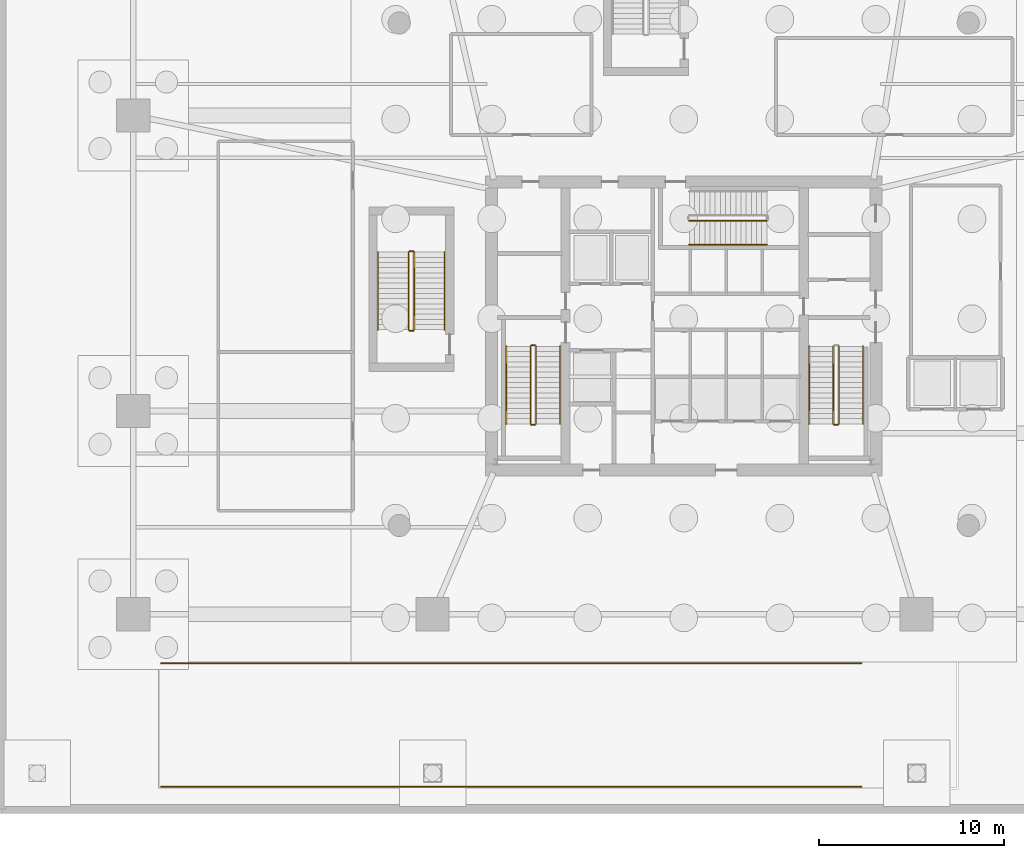
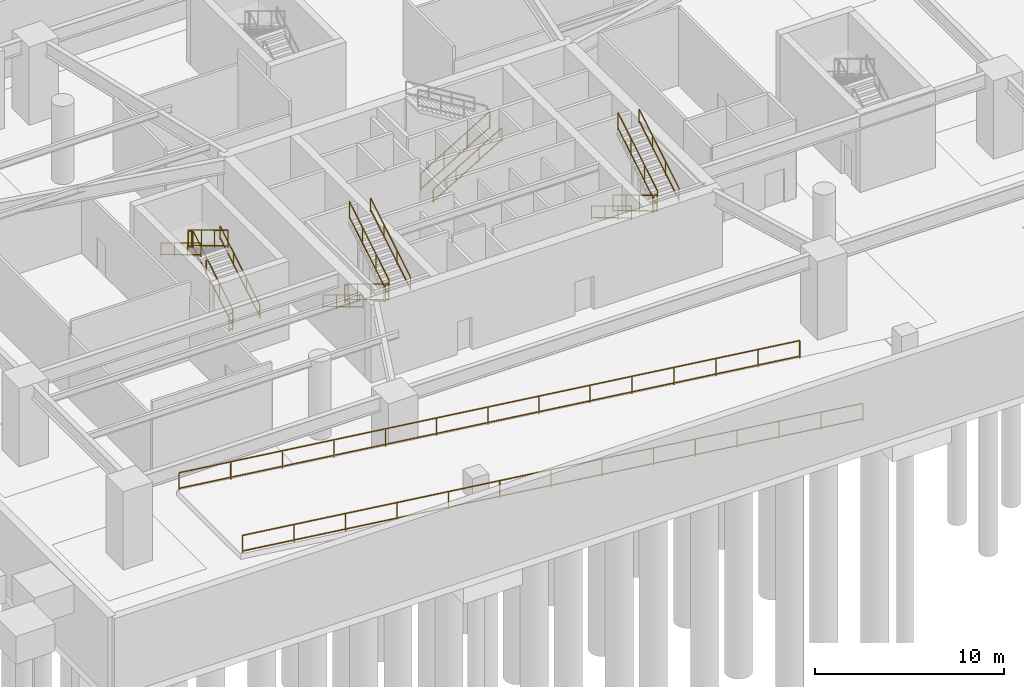
# One storey, part 9 of 11: 21 railings.
"""IFC4 building model written with IfcOpenShell, lengths in metres."""

from ifc_helpers import new_model, si_unit, direction, frame, origin, origin_2d, place, context, subcontext, project, spatial, rectangle, extrude, material, type_object, element, save


model = new_model("IFC4")

# Units and contexts
model_context = context("Model", 3, precision=1e-05, world=origin(), true_north=direction((0.0, 1.0)))
body_context = subcontext(model_context, "Body", "Model", "MODEL_VIEW")
ifc_project = project(units=[si_unit("LENGTHUNIT", "METRE"), si_unit("AREAUNIT", "SQUARE_METRE"), si_unit("VOLUMEUNIT", "CUBIC_METRE"), si_unit("PLANEANGLEUNIT", "RADIAN"), si_unit("MASSUNIT", "GRAM", prefix="KILO")], contexts=[model_context])

# Site, building, storey
site_placement = place(None, origin())
site = spatial("IfcSite", under=ifc_project, at=site_placement, CompositionType="ELEMENT")
building_placement = place(site_placement, origin())
building = spatial("IfcBuilding", under=site, at=building_placement, Name="Qarnah Convention Tower", CompositionType="ELEMENT")
storey_placement = place(building_placement, frame((0.0, 0.0, -5.39990234375)))
storey = spatial("IfcBuildingStorey", under=building, at=storey_placement, Name="B1", CompositionType="ELEMENT", Elevation=-5.39990234375)

# Railings
ifc_material_1 = material(Name="Black anodised aluminium", Category="aluminium")
railing_type_1 = type_object("IfcRailingType", Name="RL-EXT-GUARD-1150", PredefinedType="GUARDRAIL", material=ifc_material_1)
railing_1_placement = place(storey_placement, frame((8.89990234375, 1.4599609375, 5.387939453125)))
element("IfcRailing", 1, at=railing_1_placement, inside=storey, type_object=railing_type_1, Name="B1 vehicle ramp safety guard S", PredefinedType="GUARDRAIL", context=body_context, shape_type="SweptSolid", body=[
    extrude(rectangle(XDim=0.048095703125, YDim=0.048095703125, at=origin_2d()), frame((0.0, 0.0, 1.1259765625), z_axis=(0.9922690005, 0.0, -0.124105723663), x_axis=(0.0, 1.0, 0.0)), (0.0, 0.0, 1.0), 12.6982421875),
    extrude(rectangle(XDim=0.048095703125, YDim=0.048095703125, at=origin_2d()), frame((0.0, 0.0, 0.1201171875), z_axis=(0.9922690005, 0.0, -0.124105723663), x_axis=(0.0, 1.0, 0.0)), (0.0, 0.0, 1.0), 12.6982421875),
    extrude(rectangle(XDim=0.048095703125, YDim=0.048095703125, at=origin_2d()), frame((12.60009765625, 0.0, -0.4501953125), z_axis=(0.992282646569, 0.0, -0.12399656978), x_axis=(0.0, 1.0, 0.0)), (0.0, 0.0, 1.0), 12.59716796875),
    extrude(rectangle(XDim=0.048095703125, YDim=0.048095703125, at=origin_2d()), frame((12.60009765625, 0.0, -1.455810546875), z_axis=(0.992282646569, 0.0, -0.12399656978), x_axis=(0.0, 1.0, 0.0)), (0.0, 0.0, 1.0), 12.59716796875),
    extrude(rectangle(XDim=0.048095703125, YDim=0.048095703125, at=origin_2d()), frame((25.10009765625, 0.0, -2.01220703125), z_axis=(0.992277003176, 0.0, -0.124041722688), x_axis=(0.0, 1.0, 0.0)), (0.0, 0.0, 1.0), 12.899658203125),
    extrude(rectangle(XDim=0.048095703125, YDim=0.048095703125, at=origin_2d()), frame((25.10009765625, 0.0, -3.017822265625), z_axis=(0.992277003176, 0.0, -0.124041722688), x_axis=(0.0, 1.0, 0.0)), (0.0, 0.0, 1.0), 12.899658203125),
    extrude(rectangle(XDim=0.0419921875, YDim=0.0419921875, at=origin_2d()), origin(), (0.0, 0.0, 1.0), 1.101806640625),
    extrude(rectangle(XDim=0.0419921875, YDim=0.0419921875, at=origin_2d()), frame((3.14990234375, 0.0, -0.39404296875)), (0.0, 0.0, 1.0), 1.101806640625),
    extrude(rectangle(XDim=0.0419921875, YDim=0.0419921875, at=origin_2d()), frame((6.300048828125, 0.0, -0.7880859375)), (0.0, 0.0, 1.0), 1.101806640625),
    extrude(rectangle(XDim=0.0419921875, YDim=0.0419921875, at=origin_2d()), frame((9.4501953125, 0.0, -1.181884765625)), (0.0, 0.0, 1.0), 1.101806640625),
    extrude(rectangle(XDim=0.0419921875, YDim=0.0419921875, at=origin_2d()), frame((12.60009765625, 0.0, -1.575927734375)), (0.0, 0.0, 1.0), 1.101806640625),
    extrude(rectangle(XDim=0.0419921875, YDim=0.0419921875, at=origin_2d()), frame((15.72509765625, 0.0, -1.96630859375)), (0.0, 0.0, 1.0), 1.101806640625),
    extrude(rectangle(XDim=0.0419921875, YDim=0.0419921875, at=origin_2d()), frame((18.85009765625, 0.0, -2.35693359375)), (0.0, 0.0, 1.0), 1.101806640625),
    extrude(rectangle(XDim=0.0419921875, YDim=0.0419921875, at=origin_2d()), frame((21.97509765625, 0.0, -2.74755859375)), (0.0, 0.0, 1.0), 1.101806640625),
    extrude(rectangle(XDim=0.0419921875, YDim=0.0419921875, at=origin_2d()), frame((25.10009765625, 0.0, -3.137939453125)), (0.0, 0.0, 1.0), 1.101806640625),
    extrude(rectangle(XDim=0.0419921875, YDim=0.0419921875, at=origin_2d()), frame((27.66015625, 0.0, -3.4580078125)), (0.0, 0.0, 1.0), 1.101806640625),
    extrude(rectangle(XDim=0.0419921875, YDim=0.0419921875, at=origin_2d()), frame((30.22021484375, 0.0, -3.778076171875)), (0.0, 0.0, 1.0), 1.101806640625),
    extrude(rectangle(XDim=0.0419921875, YDim=0.0419921875, at=origin_2d()), frame((32.780029296875, 0.0, -4.097900390625)), (0.0, 0.0, 1.0), 1.101806640625),
    extrude(rectangle(XDim=0.0419921875, YDim=0.0419921875, at=origin_2d()), frame((35.340087890625, 0.0, -4.41796875)), (0.0, 0.0, 1.0), 1.101806640625),
    extrude(rectangle(XDim=0.0419921875, YDim=0.0419921875, at=origin_2d()), frame((37.900146484375, 0.0, -4.738037109375)), (0.0, 0.0, 1.0), 1.101806640625),
])
railing_2_placement = place(storey_placement, frame((8.89990234375, 8.139892578125, 5.387939453125)))
element("IfcRailing", 2, at=railing_2_placement, inside=storey, type_object=railing_type_1, Name="B1 vehicle ramp safety guard N", PredefinedType="GUARDRAIL", context=body_context, shape_type="SweptSolid", body=[
    extrude(rectangle(XDim=0.048095703125, YDim=0.048095703125, at=origin_2d()), frame((0.0, 0.0, 1.1259765625), z_axis=(0.9922690005, 0.0, -0.124105723663), x_axis=(0.0, 1.0, 0.0)), (0.0, 0.0, 1.0), 12.6982421875),
    extrude(rectangle(XDim=0.048095703125, YDim=0.048095703125, at=origin_2d()), frame((0.0, 0.0, 0.1201171875), z_axis=(0.9922690005, 0.0, -0.124105723663), x_axis=(0.0, 1.0, 0.0)), (0.0, 0.0, 1.0), 12.6982421875),
    extrude(rectangle(XDim=0.048095703125, YDim=0.048095703125, at=origin_2d()), frame((12.60009765625, 0.0, -0.4501953125), z_axis=(0.992282646569, 0.0, -0.12399656978), x_axis=(0.0, 1.0, 0.0)), (0.0, 0.0, 1.0), 12.59716796875),
    extrude(rectangle(XDim=0.048095703125, YDim=0.048095703125, at=origin_2d()), frame((12.60009765625, 0.0, -1.455810546875), z_axis=(0.992282646569, 0.0, -0.12399656978), x_axis=(0.0, 1.0, 0.0)), (0.0, 0.0, 1.0), 12.59716796875),
    extrude(rectangle(XDim=0.048095703125, YDim=0.048095703125, at=origin_2d()), frame((25.10009765625, 0.0, -2.01220703125), z_axis=(0.992277003176, 0.0, -0.124041722688), x_axis=(0.0, 1.0, 0.0)), (0.0, 0.0, 1.0), 12.899658203125),
    extrude(rectangle(XDim=0.048095703125, YDim=0.048095703125, at=origin_2d()), frame((25.10009765625, 0.0, -3.017822265625), z_axis=(0.992277003176, 0.0, -0.124041722688), x_axis=(0.0, 1.0, 0.0)), (0.0, 0.0, 1.0), 12.899658203125),
    extrude(rectangle(XDim=0.0419921875, YDim=0.0419921875, at=origin_2d()), origin(), (0.0, 0.0, 1.0), 1.101806640625),
    extrude(rectangle(XDim=0.0419921875, YDim=0.0419921875, at=origin_2d()), frame((3.14990234375, 0.0, -0.39404296875)), (0.0, 0.0, 1.0), 1.101806640625),
    extrude(rectangle(XDim=0.0419921875, YDim=0.0419921875, at=origin_2d()), frame((6.300048828125, 0.0, -0.7880859375)), (0.0, 0.0, 1.0), 1.101806640625),
    extrude(rectangle(XDim=0.0419921875, YDim=0.0419921875, at=origin_2d()), frame((9.4501953125, 0.0, -1.181884765625)), (0.0, 0.0, 1.0), 1.101806640625),
    extrude(rectangle(XDim=0.0419921875, YDim=0.0419921875, at=origin_2d()), frame((12.60009765625, 0.0, -1.575927734375)), (0.0, 0.0, 1.0), 1.101806640625),
    extrude(rectangle(XDim=0.0419921875, YDim=0.0419921875, at=origin_2d()), frame((15.72509765625, 0.0, -1.96630859375)), (0.0, 0.0, 1.0), 1.101806640625),
    extrude(rectangle(XDim=0.0419921875, YDim=0.0419921875, at=origin_2d()), frame((18.85009765625, 0.0, -2.35693359375)), (0.0, 0.0, 1.0), 1.101806640625),
    extrude(rectangle(XDim=0.0419921875, YDim=0.0419921875, at=origin_2d()), frame((21.97509765625, 0.0, -2.74755859375)), (0.0, 0.0, 1.0), 1.101806640625),
    extrude(rectangle(XDim=0.0419921875, YDim=0.0419921875, at=origin_2d()), frame((25.10009765625, 0.0, -3.137939453125)), (0.0, 0.0, 1.0), 1.101806640625),
    extrude(rectangle(XDim=0.0419921875, YDim=0.0419921875, at=origin_2d()), frame((27.66015625, 0.0, -3.4580078125)), (0.0, 0.0, 1.0), 1.101806640625),
    extrude(rectangle(XDim=0.0419921875, YDim=0.0419921875, at=origin_2d()), frame((30.22021484375, 0.0, -3.778076171875)), (0.0, 0.0, 1.0), 1.101806640625),
    extrude(rectangle(XDim=0.0419921875, YDim=0.0419921875, at=origin_2d()), frame((32.780029296875, 0.0, -4.097900390625)), (0.0, 0.0, 1.0), 1.101806640625),
    extrude(rectangle(XDim=0.0419921875, YDim=0.0419921875, at=origin_2d()), frame((35.340087890625, 0.0, -4.41796875)), (0.0, 0.0, 1.0), 1.101806640625),
    extrude(rectangle(XDim=0.0419921875, YDim=0.0419921875, at=origin_2d()), frame((37.900146484375, 0.0, -4.738037109375)), (0.0, 0.0, 1.0), 1.101806640625),
])
ifc_material_2 = material(Name="Structural steel S355JR", Category="steel")
railing_type_2 = type_object("IfcRailingType", Name="RL-STAIR-GUARD-1150", PredefinedType="GUARDRAIL", material=ifc_material_2)
railing_3_placement = place(storey_placement, frame((28.89990234375, 25.300048828125, 0.168701171875)))
element("IfcRailing", 3, at=railing_3_placement, inside=storey, type_object=railing_type_2, Name="B1 ST-1 stair guard 1", PredefinedType="GUARDRAIL", context=body_context, shape_type="SweptSolid", body=[
    extrude(rectangle(XDim=0.048095703125, YDim=0.048095703125, at=origin_2d()), frame((0.0, 0.0, 1.1259765625), z_axis=(0.0, -0.856476492594, 0.516186030065), x_axis=(1.0, 0.0, 0.0)), (0.0, 0.0, 1.0), 4.90380859375),
    extrude(rectangle(XDim=0.048095703125, YDim=0.048095703125, at=origin_2d()), frame((0.0, 0.0, 0.1201171875), z_axis=(0.0, -0.856476492594, 0.516186030065), x_axis=(1.0, 0.0, 0.0)), (0.0, 0.0, 1.0), 4.90380859375),
    extrude(rectangle(XDim=0.0419921875, YDim=0.0419921875, at=origin_2d()), origin(), (0.0, 0.0, 1.0), 1.101806640625),
    extrude(rectangle(XDim=0.0419921875, YDim=0.0419921875, at=origin_2d()), frame((0.0, -1.39990234375, 0.84375)), (0.0, 0.0, 1.0), 1.101806640625),
    extrude(rectangle(XDim=0.0419921875, YDim=0.0419921875, at=origin_2d()), frame((0.0, -2.800048828125, 1.6875)), (0.0, 0.0, 1.0), 1.101806640625),
    extrude(rectangle(XDim=0.0419921875, YDim=0.0419921875, at=origin_2d()), frame((0.0, -4.199951171875, 2.53125)), (0.0, 0.0, 1.0), 1.101806640625),
])
railing_4_placement = place(storey_placement, frame((28.949951171875, 21.050048828125, 2.699951171875)))
element("IfcRailing", 4, at=railing_4_placement, inside=storey, type_object=railing_type_2, Name="B1 ST-1 stair guard 2", PredefinedType="GUARDRAIL", context=body_context, shape_type="SweptSolid", body=[
    extrude(rectangle(XDim=0.048095703125, YDim=0.048095703125, at=origin_2d()), frame((0.0, 0.0, 1.1259765625), z_axis=(1.0, 0.0, 0.0), x_axis=(0.0, 1.0, 0.0)), (0.0, 0.0, 1.0), 0.199951171875),
    extrude(rectangle(XDim=0.048095703125, YDim=0.048095703125, at=origin_2d()), frame((0.0, 0.0, 0.1201171875), z_axis=(1.0, 0.0, 0.0), x_axis=(0.0, 1.0, 0.0)), (0.0, 0.0, 1.0), 0.199951171875),
    extrude(rectangle(XDim=0.0419921875, YDim=0.0419921875, at=origin_2d()), origin(), (0.0, 0.0, 1.0), 1.101806640625),
    extrude(rectangle(XDim=0.0419921875, YDim=0.0419921875, at=origin_2d()), frame((0.199951171875, 0.0, 0.0)), (0.0, 0.0, 1.0), 1.101806640625),
])
railing_5_placement = place(storey_placement, frame((29.199951171875, 21.10009765625, 2.86865234375)))
element("IfcRailing", 5, at=railing_5_placement, inside=storey, type_object=railing_type_2, Name="B1 ST-1 stair guard 3", PredefinedType="GUARDRAIL", context=body_context, shape_type="SweptSolid", body=[
    extrude(rectangle(XDim=0.048095703125, YDim=0.048095703125, at=origin_2d()), frame((0.0, 0.0, 1.1259765625), z_axis=(0.0, 0.856476492594, 0.516186030065), x_axis=(-1.0, 0.0, 0.0)), (0.0, 0.0, 1.0), 4.90380859375),
    extrude(rectangle(XDim=0.048095703125, YDim=0.048095703125, at=origin_2d()), frame((0.0, 0.0, 0.1201171875), z_axis=(0.0, 0.856476492594, 0.516186030065), x_axis=(-1.0, 0.0, 0.0)), (0.0, 0.0, 1.0), 4.90380859375),
    extrude(rectangle(XDim=0.0419921875, YDim=0.0419921875, at=origin_2d()), origin(), (0.0, 0.0, 1.0), 1.101806640625),
    extrude(rectangle(XDim=0.0419921875, YDim=0.0419921875, at=origin_2d()), frame((0.0, 1.39990234375, 0.84375)), (0.0, 0.0, 1.0), 1.101806640625),
    extrude(rectangle(XDim=0.0419921875, YDim=0.0419921875, at=origin_2d()), frame((0.0, 2.800048828125, 1.6875)), (0.0, 0.0, 1.0), 1.101806640625),
    extrude(rectangle(XDim=0.0419921875, YDim=0.0419921875, at=origin_2d()), frame((0.0, 4.199951171875, 2.53125)), (0.0, 0.0, 1.0), 1.101806640625),
])
railing_6_placement = place(storey_placement, frame((28.949951171875, 25.35009765625, 0.0)))
element("IfcRailing", 6, at=railing_6_placement, inside=storey, type_object=railing_type_2, Name="B1 ST-1 stair guard 4", PredefinedType="GUARDRAIL", context=body_context, shape_type="SweptSolid", body=[
    extrude(rectangle(XDim=0.048095703125, YDim=0.048095703125, at=origin_2d()), frame((0.0, 0.0, 1.1259765625), z_axis=(1.0, 0.0, 0.0), x_axis=(0.0, 1.0, 0.0)), (0.0, 0.0, 1.0), 0.199951171875),
    extrude(rectangle(XDim=0.048095703125, YDim=0.048095703125, at=origin_2d()), frame((0.0, 0.0, 0.1201171875), z_axis=(1.0, 0.0, 0.0), x_axis=(0.0, 1.0, 0.0)), (0.0, 0.0, 1.0), 0.199951171875),
    extrude(rectangle(XDim=0.0419921875, YDim=0.0419921875, at=origin_2d()), origin(), (0.0, 0.0, 1.0), 1.101806640625),
    extrude(rectangle(XDim=0.0419921875, YDim=0.0419921875, at=origin_2d()), frame((0.199951171875, 0.0, 0.0)), (0.0, 0.0, 1.0), 1.101806640625),
])
railing_7_placement = place(storey_placement, frame((45.300048828125, 25.300048828125, 0.168701171875)))
element("IfcRailing", 7, at=railing_7_placement, inside=storey, type_object=railing_type_2, Name="B1 ST-2 stair guard 1", PredefinedType="GUARDRAIL", context=body_context, shape_type="SweptSolid", body=[
    extrude(rectangle(XDim=0.048095703125, YDim=0.048095703125, at=origin_2d()), frame((0.0, 0.0, 1.1259765625), z_axis=(0.0, -0.856476492594, 0.516186030065), x_axis=(1.0, 0.0, 0.0)), (0.0, 0.0, 1.0), 4.90380859375),
    extrude(rectangle(XDim=0.048095703125, YDim=0.048095703125, at=origin_2d()), frame((0.0, 0.0, 0.1201171875), z_axis=(0.0, -0.856476492594, 0.516186030065), x_axis=(1.0, 0.0, 0.0)), (0.0, 0.0, 1.0), 4.90380859375),
    extrude(rectangle(XDim=0.0419921875, YDim=0.0419921875, at=origin_2d()), origin(), (0.0, 0.0, 1.0), 1.101806640625),
    extrude(rectangle(XDim=0.0419921875, YDim=0.0419921875, at=origin_2d()), frame((0.0, -1.39990234375, 0.84375)), (0.0, 0.0, 1.0), 1.101806640625),
    extrude(rectangle(XDim=0.0419921875, YDim=0.0419921875, at=origin_2d()), frame((0.0, -2.800048828125, 1.6875)), (0.0, 0.0, 1.0), 1.101806640625),
    extrude(rectangle(XDim=0.0419921875, YDim=0.0419921875, at=origin_2d()), frame((0.0, -4.199951171875, 2.53125)), (0.0, 0.0, 1.0), 1.101806640625),
])
railing_8_placement = place(storey_placement, frame((45.35009765625, 21.050048828125, 2.699951171875)))
element("IfcRailing", 8, at=railing_8_placement, inside=storey, type_object=railing_type_2, Name="B1 ST-2 stair guard 2", PredefinedType="GUARDRAIL", context=body_context, shape_type="SweptSolid", body=[
    extrude(rectangle(XDim=0.048095703125, YDim=0.048095703125, at=origin_2d()), frame((0.0, 0.0, 1.1259765625), z_axis=(1.0, 0.0, 0.0), x_axis=(0.0, 1.0, 0.0)), (0.0, 0.0, 1.0), 0.199951171875),
    extrude(rectangle(XDim=0.048095703125, YDim=0.048095703125, at=origin_2d()), frame((0.0, 0.0, 0.1201171875), z_axis=(1.0, 0.0, 0.0), x_axis=(0.0, 1.0, 0.0)), (0.0, 0.0, 1.0), 0.199951171875),
    extrude(rectangle(XDim=0.0419921875, YDim=0.0419921875, at=origin_2d()), origin(), (0.0, 0.0, 1.0), 1.101806640625),
    extrude(rectangle(XDim=0.0419921875, YDim=0.0419921875, at=origin_2d()), frame((0.199951171875, 0.0, 0.0)), (0.0, 0.0, 1.0), 1.101806640625),
])
railing_9_placement = place(storey_placement, frame((45.60009765625, 21.10009765625, 2.86865234375)))
element("IfcRailing", 9, at=railing_9_placement, inside=storey, type_object=railing_type_2, Name="B1 ST-2 stair guard 3", PredefinedType="GUARDRAIL", context=body_context, shape_type="SweptSolid", body=[
    extrude(rectangle(XDim=0.048095703125, YDim=0.048095703125, at=origin_2d()), frame((0.0, 0.0, 1.1259765625), z_axis=(0.0, 0.856476492594, 0.516186030065), x_axis=(-1.0, 0.0, 0.0)), (0.0, 0.0, 1.0), 4.90380859375),
    extrude(rectangle(XDim=0.048095703125, YDim=0.048095703125, at=origin_2d()), frame((0.0, 0.0, 0.1201171875), z_axis=(0.0, 0.856476492594, 0.516186030065), x_axis=(-1.0, 0.0, 0.0)), (0.0, 0.0, 1.0), 4.90380859375),
    extrude(rectangle(XDim=0.0419921875, YDim=0.0419921875, at=origin_2d()), origin(), (0.0, 0.0, 1.0), 1.101806640625),
    extrude(rectangle(XDim=0.0419921875, YDim=0.0419921875, at=origin_2d()), frame((0.0, 1.39990234375, 0.84375)), (0.0, 0.0, 1.0), 1.101806640625),
    extrude(rectangle(XDim=0.0419921875, YDim=0.0419921875, at=origin_2d()), frame((0.0, 2.800048828125, 1.6875)), (0.0, 0.0, 1.0), 1.101806640625),
    extrude(rectangle(XDim=0.0419921875, YDim=0.0419921875, at=origin_2d()), frame((0.0, 4.199951171875, 2.53125)), (0.0, 0.0, 1.0), 1.101806640625),
])
railing_10_placement = place(storey_placement, frame((37.5, 32.10009765625, 0.168701171875)))
element("IfcRailing", 10, at=railing_10_placement, inside=storey, type_object=railing_type_2, Name="B1 ST-3 stair guard 1", PredefinedType="GUARDRAIL", context=body_context, shape_type="SweptSolid", body=[
    extrude(rectangle(XDim=0.048095703125, YDim=0.048095703125, at=origin_2d()), frame((0.0, 0.0, 1.1259765625), z_axis=(0.856476492594, 0.0, 0.516186030065), x_axis=(0.0, 1.0, 0.0)), (0.0, 0.0, 1.0), 4.90380859375),
    extrude(rectangle(XDim=0.048095703125, YDim=0.048095703125, at=origin_2d()), frame((0.0, 0.0, 0.1201171875), z_axis=(0.856476492594, 0.0, 0.516186030065), x_axis=(0.0, 1.0, 0.0)), (0.0, 0.0, 1.0), 4.90380859375),
    extrude(rectangle(XDim=0.0419921875, YDim=0.0419921875, at=origin_2d()), origin(), (0.0, 0.0, 1.0), 1.101806640625),
    extrude(rectangle(XDim=0.0419921875, YDim=0.0419921875, at=origin_2d()), frame((1.39990234375, 0.0, 0.84375)), (0.0, 0.0, 1.0), 1.101806640625),
    extrude(rectangle(XDim=0.0419921875, YDim=0.0419921875, at=origin_2d()), frame((2.800048828125, 0.0, 1.6875)), (0.0, 0.0, 1.0), 1.101806640625),
    extrude(rectangle(XDim=0.0419921875, YDim=0.0419921875, at=origin_2d()), frame((4.199951171875, 0.0, 2.53125)), (0.0, 0.0, 1.0), 1.101806640625),
])
railing_11_placement = place(storey_placement, frame((22.60009765625, 26.199951171875, 0.168701171875)))
element("IfcRailing", 11, at=railing_11_placement, inside=storey, type_object=railing_type_2, Name="B1 ST-5 stair guard 1", PredefinedType="GUARDRAIL", context=body_context, shape_type="SweptSolid", body=[
    extrude(rectangle(XDim=0.048095703125, YDim=0.048095703125, at=origin_2d()), frame((0.0, 0.0, 1.1259765625), z_axis=(0.0, 0.856476492594, 0.516186030065), x_axis=(-1.0, 0.0, 0.0)), (0.0, 0.0, 1.0), 4.90380859375),
    extrude(rectangle(XDim=0.048095703125, YDim=0.048095703125, at=origin_2d()), frame((0.0, 0.0, 0.1201171875), z_axis=(0.0, 0.856476492594, 0.516186030065), x_axis=(-1.0, 0.0, 0.0)), (0.0, 0.0, 1.0), 4.90380859375),
    extrude(rectangle(XDim=0.0419921875, YDim=0.0419921875, at=origin_2d()), origin(), (0.0, 0.0, 1.0), 1.101806640625),
    extrude(rectangle(XDim=0.0419921875, YDim=0.0419921875, at=origin_2d()), frame((0.0, 1.39990234375, 0.84375)), (0.0, 0.0, 1.0), 1.101806640625),
    extrude(rectangle(XDim=0.0419921875, YDim=0.0419921875, at=origin_2d()), frame((0.0, 2.800048828125, 1.6875)), (0.0, 0.0, 1.0), 1.101806640625),
    extrude(rectangle(XDim=0.0419921875, YDim=0.0419921875, at=origin_2d()), frame((0.0, 4.199951171875, 2.53125)), (0.0, 0.0, 1.0), 1.101806640625),
])
railing_12_placement = place(storey_placement, frame((22.550048828125, 30.449951171875, 2.699951171875)))
element("IfcRailing", 12, at=railing_12_placement, inside=storey, type_object=railing_type_2, Name="B1 ST-5 stair guard 2", PredefinedType="GUARDRAIL", context=body_context, shape_type="SweptSolid", body=[
    extrude(rectangle(XDim=0.048095703125, YDim=0.048095703125, at=origin_2d()), frame((0.0, 0.0, 1.1259765625), z_axis=(-1.0, 0.0, 0.0), x_axis=(0.0, -1.0, 0.0)), (0.0, 0.0, 1.0), 0.199951171875),
    extrude(rectangle(XDim=0.048095703125, YDim=0.048095703125, at=origin_2d()), frame((0.0, 0.0, 0.1201171875), z_axis=(-1.0, 0.0, 0.0), x_axis=(0.0, -1.0, 0.0)), (0.0, 0.0, 1.0), 0.199951171875),
    extrude(rectangle(XDim=0.0419921875, YDim=0.0419921875, at=origin_2d()), origin(), (0.0, 0.0, 1.0), 1.101806640625),
    extrude(rectangle(XDim=0.0419921875, YDim=0.0419921875, at=origin_2d()), frame((-0.199951171875, 0.0, 0.0)), (0.0, 0.0, 1.0), 1.101806640625),
])
railing_13_placement = place(storey_placement, frame((22.300048828125, 30.39990234375, 2.86865234375)))
element("IfcRailing", 13, at=railing_13_placement, inside=storey, type_object=railing_type_2, Name="B1 ST-5 stair guard 3", PredefinedType="GUARDRAIL", context=body_context, shape_type="SweptSolid", body=[
    extrude(rectangle(XDim=0.048095703125, YDim=0.048095703125, at=origin_2d()), frame((0.0, 0.0, 1.1259765625), z_axis=(0.0, -0.856476492594, 0.516186030065), x_axis=(1.0, 0.0, 0.0)), (0.0, 0.0, 1.0), 4.90380859375),
    extrude(rectangle(XDim=0.048095703125, YDim=0.048095703125, at=origin_2d()), frame((0.0, 0.0, 0.1201171875), z_axis=(0.0, -0.856476492594, 0.516186030065), x_axis=(1.0, 0.0, 0.0)), (0.0, 0.0, 1.0), 4.90380859375),
    extrude(rectangle(XDim=0.0419921875, YDim=0.0419921875, at=origin_2d()), origin(), (0.0, 0.0, 1.0), 1.101806640625),
    extrude(rectangle(XDim=0.0419921875, YDim=0.0419921875, at=origin_2d()), frame((0.0, -1.39990234375, 0.84375)), (0.0, 0.0, 1.0), 1.101806640625),
    extrude(rectangle(XDim=0.0419921875, YDim=0.0419921875, at=origin_2d()), frame((0.0, -2.800048828125, 1.6875)), (0.0, 0.0, 1.0), 1.101806640625),
    extrude(rectangle(XDim=0.0419921875, YDim=0.0419921875, at=origin_2d()), frame((0.0, -4.199951171875, 2.53125)), (0.0, 0.0, 1.0), 1.101806640625),
])
railing_14_placement = place(storey_placement, frame((22.550048828125, 26.14990234375, 0.0)))
element("IfcRailing", 14, at=railing_14_placement, inside=storey, type_object=railing_type_2, Name="B1 ST-5 stair guard 4", PredefinedType="GUARDRAIL", context=body_context, shape_type="SweptSolid", body=[
    extrude(rectangle(XDim=0.048095703125, YDim=0.048095703125, at=origin_2d()), frame((0.0, 0.0, 1.1259765625), z_axis=(-1.0, 0.0, 0.0), x_axis=(0.0, -1.0, 0.0)), (0.0, 0.0, 1.0), 0.199951171875),
    extrude(rectangle(XDim=0.048095703125, YDim=0.048095703125, at=origin_2d()), frame((0.0, 0.0, 0.1201171875), z_axis=(-1.0, 0.0, 0.0), x_axis=(0.0, -1.0, 0.0)), (0.0, 0.0, 1.0), 0.199951171875),
    extrude(rectangle(XDim=0.0419921875, YDim=0.0419921875, at=origin_2d()), origin(), (0.0, 0.0, 1.0), 1.101806640625),
    extrude(rectangle(XDim=0.0419921875, YDim=0.0419921875, at=origin_2d()), frame((-0.199951171875, 0.0, 0.0)), (0.0, 0.0, 1.0), 1.101806640625),
])
railing_type_3 = type_object("IfcRailingType", Name="RL-STAIR-HAND-900", PredefinedType="HANDRAIL", material=ifc_material_2)
railing_15_placement = place(storey_placement, frame((27.60009765625, 25.300048828125, 0.168701171875)))
element("IfcRailing", 15, at=railing_15_placement, inside=storey, type_object=railing_type_3, Name="B1 ST-1 stair handrail 1", PredefinedType="HANDRAIL", context=body_context, shape_type="SweptSolid", body=[
    extrude(rectangle(XDim=0.048095703125, YDim=0.048095703125, at=origin_2d()), frame((0.0, 0.0, 0.8759765625), z_axis=(0.0, -0.856476492594, 0.516186030065), x_axis=(1.0, 0.0, 0.0)), (0.0, 0.0, 1.0), 4.90380859375),
    extrude(rectangle(XDim=0.048095703125, YDim=0.048095703125, at=origin_2d()), frame((0.0, 0.0, 0.1201171875), z_axis=(0.0, -0.856476492594, 0.516186030065), x_axis=(1.0, 0.0, 0.0)), (0.0, 0.0, 1.0), 4.90380859375),
    extrude(rectangle(XDim=0.0419921875, YDim=0.0419921875, at=origin_2d()), origin(), (0.0, 0.0, 1.0), 0.851806640625),
    extrude(rectangle(XDim=0.0419921875, YDim=0.0419921875, at=origin_2d()), frame((0.0, -1.39990234375, 0.84375)), (0.0, 0.0, 1.0), 0.851806640625),
    extrude(rectangle(XDim=0.0419921875, YDim=0.0419921875, at=origin_2d()), frame((0.0, -2.800048828125, 1.6875)), (0.0, 0.0, 1.0), 0.851806640625),
    extrude(rectangle(XDim=0.0419921875, YDim=0.0419921875, at=origin_2d()), frame((0.0, -4.199951171875, 2.53125)), (0.0, 0.0, 1.0), 0.851806640625),
])
railing_16_placement = place(storey_placement, frame((30.5, 21.10009765625, 2.86865234375)))
element("IfcRailing", 16, at=railing_16_placement, inside=storey, type_object=railing_type_3, Name="B1 ST-1 stair handrail 2", PredefinedType="HANDRAIL", context=body_context, shape_type="SweptSolid", body=[
    extrude(rectangle(XDim=0.048095703125, YDim=0.048095703125, at=origin_2d()), frame((0.0, 0.0, 0.8759765625), z_axis=(0.0, 0.856476492594, 0.516186030065), x_axis=(-1.0, 0.0, 0.0)), (0.0, 0.0, 1.0), 4.90380859375),
    extrude(rectangle(XDim=0.048095703125, YDim=0.048095703125, at=origin_2d()), frame((0.0, 0.0, 0.1201171875), z_axis=(0.0, 0.856476492594, 0.516186030065), x_axis=(-1.0, 0.0, 0.0)), (0.0, 0.0, 1.0), 4.90380859375),
    extrude(rectangle(XDim=0.0419921875, YDim=0.0419921875, at=origin_2d()), origin(), (0.0, 0.0, 1.0), 0.851806640625),
    extrude(rectangle(XDim=0.0419921875, YDim=0.0419921875, at=origin_2d()), frame((0.0, 1.39990234375, 0.84375)), (0.0, 0.0, 1.0), 0.851806640625),
    extrude(rectangle(XDim=0.0419921875, YDim=0.0419921875, at=origin_2d()), frame((0.0, 2.800048828125, 1.6875)), (0.0, 0.0, 1.0), 0.851806640625),
    extrude(rectangle(XDim=0.0419921875, YDim=0.0419921875, at=origin_2d()), frame((0.0, 4.199951171875, 2.53125)), (0.0, 0.0, 1.0), 0.851806640625),
])
railing_17_placement = place(storey_placement, frame((44.0, 25.300048828125, 0.168701171875)))
element("IfcRailing", 17, at=railing_17_placement, inside=storey, type_object=railing_type_3, Name="B1 ST-2 stair handrail 1", PredefinedType="HANDRAIL", context=body_context, shape_type="SweptSolid", body=[
    extrude(rectangle(XDim=0.048095703125, YDim=0.048095703125, at=origin_2d()), frame((0.0, 0.0, 0.8759765625), z_axis=(0.0, -0.856476492594, 0.516186030065), x_axis=(1.0, 0.0, 0.0)), (0.0, 0.0, 1.0), 4.90380859375),
    extrude(rectangle(XDim=0.048095703125, YDim=0.048095703125, at=origin_2d()), frame((0.0, 0.0, 0.1201171875), z_axis=(0.0, -0.856476492594, 0.516186030065), x_axis=(1.0, 0.0, 0.0)), (0.0, 0.0, 1.0), 4.90380859375),
    extrude(rectangle(XDim=0.0419921875, YDim=0.0419921875, at=origin_2d()), origin(), (0.0, 0.0, 1.0), 0.851806640625),
    extrude(rectangle(XDim=0.0419921875, YDim=0.0419921875, at=origin_2d()), frame((0.0, -1.39990234375, 0.84375)), (0.0, 0.0, 1.0), 0.851806640625),
    extrude(rectangle(XDim=0.0419921875, YDim=0.0419921875, at=origin_2d()), frame((0.0, -2.800048828125, 1.6875)), (0.0, 0.0, 1.0), 0.851806640625),
    extrude(rectangle(XDim=0.0419921875, YDim=0.0419921875, at=origin_2d()), frame((0.0, -4.199951171875, 2.53125)), (0.0, 0.0, 1.0), 0.851806640625),
])
railing_18_placement = place(storey_placement, frame((46.89990234375, 21.10009765625, 2.86865234375)))
element("IfcRailing", 18, at=railing_18_placement, inside=storey, type_object=railing_type_3, Name="B1 ST-2 stair handrail 2", PredefinedType="HANDRAIL", context=body_context, shape_type="SweptSolid", body=[
    extrude(rectangle(XDim=0.048095703125, YDim=0.048095703125, at=origin_2d()), frame((0.0, 0.0, 0.8759765625), z_axis=(0.0, 0.856476492594, 0.516186030065), x_axis=(-1.0, 0.0, 0.0)), (0.0, 0.0, 1.0), 4.90380859375),
    extrude(rectangle(XDim=0.048095703125, YDim=0.048095703125, at=origin_2d()), frame((0.0, 0.0, 0.1201171875), z_axis=(0.0, 0.856476492594, 0.516186030065), x_axis=(-1.0, 0.0, 0.0)), (0.0, 0.0, 1.0), 4.90380859375),
    extrude(rectangle(XDim=0.0419921875, YDim=0.0419921875, at=origin_2d()), origin(), (0.0, 0.0, 1.0), 0.851806640625),
    extrude(rectangle(XDim=0.0419921875, YDim=0.0419921875, at=origin_2d()), frame((0.0, 1.39990234375, 0.84375)), (0.0, 0.0, 1.0), 0.851806640625),
    extrude(rectangle(XDim=0.0419921875, YDim=0.0419921875, at=origin_2d()), frame((0.0, 2.800048828125, 1.6875)), (0.0, 0.0, 1.0), 0.851806640625),
    extrude(rectangle(XDim=0.0419921875, YDim=0.0419921875, at=origin_2d()), frame((0.0, 4.199951171875, 2.53125)), (0.0, 0.0, 1.0), 0.851806640625),
])
railing_19_placement = place(storey_placement, frame((37.5, 30.800048828125, 0.168701171875)))
element("IfcRailing", 19, at=railing_19_placement, inside=storey, type_object=railing_type_3, Name="B1 ST-3 stair handrail 1", PredefinedType="HANDRAIL", context=body_context, shape_type="SweptSolid", body=[
    extrude(rectangle(XDim=0.048095703125, YDim=0.048095703125, at=origin_2d()), frame((0.0, 0.0, 0.8759765625), z_axis=(0.856476492594, 0.0, 0.516186030065), x_axis=(0.0, 1.0, 0.0)), (0.0, 0.0, 1.0), 4.90380859375),
    extrude(rectangle(XDim=0.048095703125, YDim=0.048095703125, at=origin_2d()), frame((0.0, 0.0, 0.1201171875), z_axis=(0.856476492594, 0.0, 0.516186030065), x_axis=(0.0, 1.0, 0.0)), (0.0, 0.0, 1.0), 4.90380859375),
    extrude(rectangle(XDim=0.0419921875, YDim=0.0419921875, at=origin_2d()), origin(), (0.0, 0.0, 1.0), 0.851806640625),
    extrude(rectangle(XDim=0.0419921875, YDim=0.0419921875, at=origin_2d()), frame((1.39990234375, 0.0, 0.84375)), (0.0, 0.0, 1.0), 0.851806640625),
    extrude(rectangle(XDim=0.0419921875, YDim=0.0419921875, at=origin_2d()), frame((2.800048828125, 0.0, 1.6875)), (0.0, 0.0, 1.0), 0.851806640625),
    extrude(rectangle(XDim=0.0419921875, YDim=0.0419921875, at=origin_2d()), frame((4.199951171875, 0.0, 2.53125)), (0.0, 0.0, 1.0), 0.851806640625),
])
railing_20_placement = place(storey_placement, frame((24.25, 26.199951171875, 0.168701171875)))
element("IfcRailing", 20, at=railing_20_placement, inside=storey, type_object=railing_type_3, Name="B1 ST-5 stair handrail 1", PredefinedType="HANDRAIL", context=body_context, shape_type="SweptSolid", body=[
    extrude(rectangle(XDim=0.048095703125, YDim=0.048095703125, at=origin_2d()), frame((0.0, 0.0, 0.8759765625), z_axis=(0.0, 0.856476492594, 0.516186030065), x_axis=(-1.0, 0.0, 0.0)), (0.0, 0.0, 1.0), 4.90380859375),
    extrude(rectangle(XDim=0.048095703125, YDim=0.048095703125, at=origin_2d()), frame((0.0, 0.0, 0.1201171875), z_axis=(0.0, 0.856476492594, 0.516186030065), x_axis=(-1.0, 0.0, 0.0)), (0.0, 0.0, 1.0), 4.90380859375),
    extrude(rectangle(XDim=0.0419921875, YDim=0.0419921875, at=origin_2d()), origin(), (0.0, 0.0, 1.0), 0.851806640625),
    extrude(rectangle(XDim=0.0419921875, YDim=0.0419921875, at=origin_2d()), frame((0.0, 1.39990234375, 0.84375)), (0.0, 0.0, 1.0), 0.851806640625),
    extrude(rectangle(XDim=0.0419921875, YDim=0.0419921875, at=origin_2d()), frame((0.0, 2.800048828125, 1.6875)), (0.0, 0.0, 1.0), 0.851806640625),
    extrude(rectangle(XDim=0.0419921875, YDim=0.0419921875, at=origin_2d()), frame((0.0, 4.199951171875, 2.53125)), (0.0, 0.0, 1.0), 0.851806640625),
])
railing_21_placement = place(storey_placement, frame((20.64990234375, 30.39990234375, 2.86865234375)))
element("IfcRailing", 21, at=railing_21_placement, inside=storey, type_object=railing_type_3, Name="B1 ST-5 stair handrail 2", PredefinedType="HANDRAIL", context=body_context, shape_type="SweptSolid", body=[
    extrude(rectangle(XDim=0.048095703125, YDim=0.048095703125, at=origin_2d()), frame((0.0, 0.0, 0.8759765625), z_axis=(0.0, -0.856476492594, 0.516186030065), x_axis=(1.0, 0.0, 0.0)), (0.0, 0.0, 1.0), 4.90380859375),
    extrude(rectangle(XDim=0.048095703125, YDim=0.048095703125, at=origin_2d()), frame((0.0, 0.0, 0.1201171875), z_axis=(0.0, -0.856476492594, 0.516186030065), x_axis=(1.0, 0.0, 0.0)), (0.0, 0.0, 1.0), 4.90380859375),
    extrude(rectangle(XDim=0.0419921875, YDim=0.0419921875, at=origin_2d()), origin(), (0.0, 0.0, 1.0), 0.851806640625),
    extrude(rectangle(XDim=0.0419921875, YDim=0.0419921875, at=origin_2d()), frame((0.0, -1.39990234375, 0.84375)), (0.0, 0.0, 1.0), 0.851806640625),
    extrude(rectangle(XDim=0.0419921875, YDim=0.0419921875, at=origin_2d()), frame((0.0, -2.800048828125, 1.6875)), (0.0, 0.0, 1.0), 0.851806640625),
    extrude(rectangle(XDim=0.0419921875, YDim=0.0419921875, at=origin_2d()), frame((0.0, -4.199951171875, 2.53125)), (0.0, 0.0, 1.0), 0.851806640625),
])

save(model, "model.ifc")
